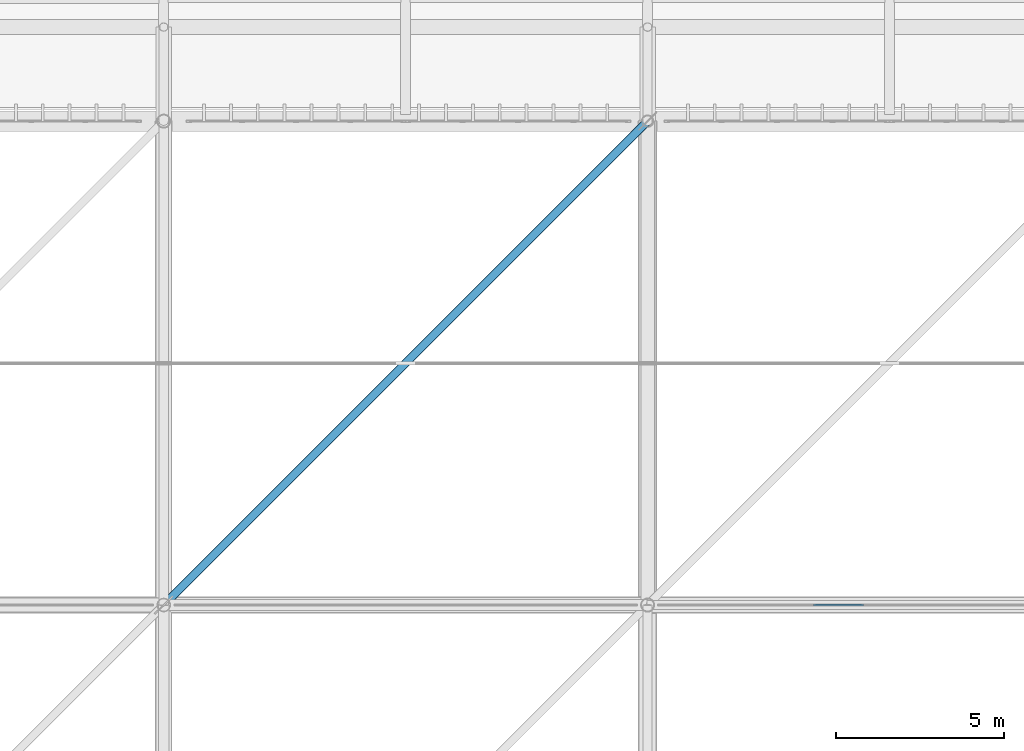
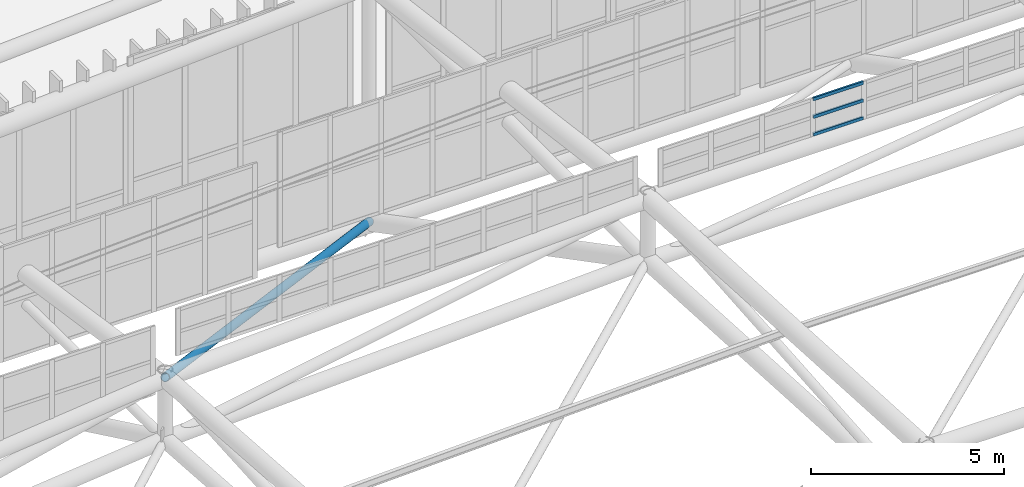
# One storey, part 246 of 397: 4 members, 1 element without a shape of its own.
"""IFC4 building model written with IfcOpenShell, lengths in metres."""

import ifcopenshell
import ifcopenshell.guid

model = None  # the IFC model being written
_history = None  # IfcOwnerHistory: only IFC2X3 demands one
_inside = {}  # id of a spatial element -> (the spatial element, [elements in it])
_under = {}  # id of a project, library or spatial element -> (it, [spatial elements below it])
_declared = {}  # id of a project -> (the project, [libraries it declares])
_typed = {}  # id of a type object -> (the type object, [elements of that type])
_made_of = {}  # id of a material, layer set ... -> (it, [elements and type objects made of it])


def new_model(schema):
    """Start an empty IFC model of exactly this schema.

    Asked for "IFC4X3", IfcOpenShell would pick the latest addendum, in which some entities
    have other attributes; the version numbers below select the first issue.
    IFC2X3 requires an IfcOwnerHistory on every rooted entity: one is made here for all.
    """
    global model, _history
    if schema == "IFC4X3":
        model = ifcopenshell.file(schema_version=(4, 3, 0, 0))
    else:
        model = ifcopenshell.file(schema=schema)
    _inside.clear()
    _under.clear()
    _declared.clear()
    _typed.clear()
    _made_of.clear()
    _history = None
    if model.schema == "IFC2X3":
        org = make("IfcOrganization", Name="unknown")
        user = make(
            "IfcPersonAndOrganization",
            ThePerson=make("IfcPerson", FamilyName="unknown"),
            TheOrganization=org,
        )
        app = make(
            "IfcApplication",
            ApplicationDeveloper=org,
            Version="unknown",
            ApplicationFullName="unknown",
            ApplicationIdentifier="unknown",
        )
        _history = make(
            "IfcOwnerHistory",
            OwningUser=user,
            OwningApplication=app,
            ChangeAction="ADDED",
            CreationDate=0,
        )
    return model


def make(cls, **values):
    """One entity of the class cls with the attributes given. An attribute that is None is left unset."""
    return model.create_entity(
        cls, **{name: value for name, value in values.items() if value is not None}
    )


def rooted(cls, **values):
    """An entity with a GlobalId (a new one), such as an element, a storey or a relation."""
    return make(cls, GlobalId=ifcopenshell.guid.new(), OwnerHistory=_history, **values)


def si_unit(unit_type, name, prefix=None):
    """IfcSIUnit, for example si_unit("LENGTHUNIT", "METRE", prefix="MILLI")."""
    return make("IfcSIUnit", UnitType=unit_type, Prefix=prefix, Name=name)


def assignment(units):
    """IfcUnitAssignment: the units of a project."""
    return None if units is None else make("IfcUnitAssignment", Units=units)


def point(xyz):
    """IfcCartesianPoint."""
    return None if xyz is None else make("IfcCartesianPoint", Coordinates=xyz)


def direction(xyz):
    """IfcDirection."""
    return None if xyz is None else make("IfcDirection", DirectionRatios=xyz)


def frame(location, z_axis=None, x_axis=None):
    """IfcAxis2Placement3D, a coordinate frame: its origin and axes. An axis left out is left unset."""
    return make(
        "IfcAxis2Placement3D",
        Location=point(location),
        Axis=direction(z_axis),
        RefDirection=direction(x_axis),
    )


def frame_2d(location, x_axis=None):
    """IfcAxis2Placement2D, a coordinate frame in the plane: its origin and x axis."""
    return make(
        "IfcAxis2Placement2D", Location=point(location), RefDirection=direction(x_axis)
    )


def origin():
    """The frame at (0, 0, 0) with its axes left unset."""
    return frame((0.0, 0.0, 0.0))


def origin_2d():
    """The frame at (0, 0) in the plane with its x axis left unset."""
    return frame_2d((0.0, 0.0))


def place(relative_to, where):
    """IfcLocalPlacement: puts the frame where relative to a parent placement (None: the world)."""
    return make(
        "IfcLocalPlacement", PlacementRelTo=relative_to, RelativePlacement=where
    )


def context(
    kind, dimensions, precision=None, world=None, true_north=None, identifier=None
):
    """IfcGeometricRepresentationContext, for example the 3D "Model" context."""
    return make(
        "IfcGeometricRepresentationContext",
        ContextIdentifier=identifier,
        ContextType=kind,
        CoordinateSpaceDimension=dimensions,
        Precision=precision,
        WorldCoordinateSystem=world,
        TrueNorth=true_north,
    )


def subcontext(parent, identifier, kind, view, scale=None):
    """IfcGeometricRepresentationSubContext, for example "Body" below "Model"."""
    return make(
        "IfcGeometricRepresentationSubContext",
        ContextIdentifier=identifier,
        ContextType=kind,
        ParentContext=parent,
        TargetScale=scale,
        TargetView=view,
    )


def project(units=None, contexts=None):
    """IfcProject with its units and contexts."""
    return rooted(
        "IfcProject",
        Name="project",
        RepresentationContexts=contexts,
        UnitsInContext=assignment(units),
    )


def spatial(cls, under=None, at=None, **own):
    """A site, building, storey or space (cls), placed at a placement, below another one or the project."""
    s = rooted(cls, ObjectPlacement=at, **own)
    if under is not None:
        _under.setdefault(under.id(), (under, []))[1].append(s)
    return s


def profile(cls, at=None, kind="AREA", **sizes):
    """A parametric profile (cls). Its sizes go by their IFC names, for example OverallWidth=200.0."""
    return make(cls, ProfileType=kind, Position=at, **sizes)


def hollow_rectangle(**sizes):
    """IfcRectangleHollowProfileDef."""
    return profile("IfcRectangleHollowProfileDef", **sizes)


def hollow_circle(**sizes):
    """IfcCircleHollowProfileDef."""
    return profile("IfcCircleHollowProfileDef", **sizes)


def extrude(swept, where, along, depth):
    """IfcExtrudedAreaSolid: the profile swept, set in the frame where, extruded along a direction by depth."""
    return make(
        "IfcExtrudedAreaSolid",
        SweptArea=swept,
        Position=where,
        ExtrudedDirection=direction(along),
        Depth=depth,
    )


def shape(context_of_items, identifier, shape_type, items):
    """IfcShapeRepresentation: the items that make up one representation, for example the "Body"."""
    return make(
        "IfcShapeRepresentation",
        ContextOfItems=context_of_items,
        RepresentationIdentifier=identifier,
        RepresentationType=shape_type,
        Items=items,
    )


def material(Name=None, Category=None):
    """IfcMaterial."""
    return make("IfcMaterial", Name=Name, Category=Category)


def material_profile(
    of_material, cross_section, Name=None, Category=None, Priority=None
):
    """IfcMaterialProfile: a cross section and its material."""
    return make(
        "IfcMaterialProfile",
        Name=Name,
        Material=of_material,
        Profile=cross_section,
        Priority=Priority,
        Category=Category,
    )


def profile_set(profiles, Name=None, composite=None):
    """IfcMaterialProfileSet."""
    return make(
        "IfcMaterialProfileSet",
        Name=Name,
        MaterialProfiles=profiles,
        CompositeProfile=composite,
    )


def made_of(thing, what):
    """Note that an element or type object is made of a material, layer set ...; save() writes the relation."""
    if what is not None:
        _made_of.setdefault(what.id(), (what, []))[1].append(thing)
    return thing


def type_object(cls, material=None, **own):
    """A type object (cls), such as IfcWallType, which elements share."""
    return made_of(rooted(cls, **own), material)


def element(
    cls,
    number,
    at=None,
    inside=None,
    cuts=None,
    type_object=None,
    material=None,
    context=None,
    identifier="Body",
    shape_type=None,
    held_by="IfcProductDefinitionShape",
    body=None,
    shapes=None,
    **own,
):
    """One element of the class cls, such as IfcWall. Its Tag is "e" and its number.

    at: its placement. inside: the storey or other place that contains it. cuts: it is an
    opening in that element (IfcRelVoidsElement). A single representation is given by context,
    identifier, shape_type and body (its items); several are given by shapes. held_by: the class
    of the entity that holds the representations. save() writes the other relations.
    """
    e = rooted(cls, Tag="e%d" % number, ObjectPlacement=at, **own)
    if body is not None:
        shapes = [shape(context, identifier, shape_type, body)]
    if shapes is not None:
        e.Representation = make(held_by, Representations=shapes)
    if inside is not None:
        _inside.setdefault(inside.id(), (inside, []))[1].append(e)
    if cuts is not None:
        rooted(
            "IfcRelVoidsElement", RelatingBuildingElement=cuts, RelatedOpeningElement=e
        )
    if type_object is not None:
        _typed.setdefault(type_object.id(), (type_object, []))[1].append(e)
    return made_of(e, material)


def aggregate(whole, parts):
    """IfcRelAggregates: a whole, such as a stair, and the parts it consists of."""
    return rooted("IfcRelAggregates", RelatingObject=whole, RelatedObjects=parts)


def save(model, path):
    """Write the relations noted so far, then the file.

    IfcRelAggregates (storeys below a building ...), IfcRelContainedInSpatialStructure (elements
    in a storey), IfcRelDefinesByType, IfcRelAssociatesMaterial and IfcRelDeclares: one each for
    every whole, place, type object, material and project.
    """
    for whole, parts in _under.values():
        aggregate(whole, parts)
    for where, things in _inside.values():
        rooted(
            "IfcRelContainedInSpatialStructure",
            RelatedElements=things,
            RelatingStructure=where,
        )
    for kind, things in _typed.values():
        rooted("IfcRelDefinesByType", RelatedObjects=things, RelatingType=kind)
    for what, things in _made_of.values():
        rooted("IfcRelAssociatesMaterial", RelatedObjects=things, RelatingMaterial=what)
    for by, libraries in _declared.values():
        rooted("IfcRelDeclares", RelatingContext=by, RelatedDefinitions=libraries)
    model.write(path)


model = new_model("IFC4")

# Units and contexts
model_context = context("Model", 3, precision=1e-05, world=origin(), true_north=direction((0.0, 1.0)))
body_context = subcontext(model_context, "Body", "Model", "MODEL_VIEW")
ifc_project = project(units=[si_unit("LENGTHUNIT", "METRE"), si_unit("AREAUNIT", "SQUARE_METRE"), si_unit("VOLUMEUNIT", "CUBIC_METRE"), si_unit("PLANEANGLEUNIT", "RADIAN"), si_unit("MASSUNIT", "GRAM", prefix="KILO")], contexts=[model_context])

# Site, building, storey
site_placement = place(None, origin())
site = spatial("IfcSite", under=ifc_project, at=site_placement, CompositionType="ELEMENT")
building_placement = place(site_placement, origin())
building = spatial("IfcBuilding", under=site, at=building_placement, Name="Qandorah Velis Arena", CompositionType="ELEMENT")
storey_placement = place(building_placement, frame((0.0, 0.0, 27.5)))
storey = spatial("IfcBuildingStorey", under=building, at=storey_placement, Name="RF", CompositionType="ELEMENT", Elevation=27.5)

# Curtain wall, members
ifc_material_1 = material(Name="Solar-control low-E double glazing", Category="glass")
curtain_wall_type = type_object("IfcCurtainWallType", Name="ARC-CW-SYS23", PredefinedType="USERDEFINED", material=ifc_material_1)
curtain_wall_placement = place(storey_placement, origin())
curtain_wall = element("IfcCurtainWall", 1, at=curtain_wall_placement, inside=storey, type_object=curtain_wall_type, Name="Unitised curtain wall OCULUS-4-3", ObjectType="UNITISED CURTAIN WALL", PredefinedType="USERDEFINED")
ifc_material_2 = material(Name="Champagne-bronze anodized aluminium 6063-T6", Category="aluminium")
ifc_material_profile_1 = material_profile(ifc_material_2, hollow_rectangle(XDim=0.054931640625, YDim=0.10009765625, WallThickness=0.0029296875, at=origin_2d()), Name="ALU TRANSOM 55x100")
ifc_profile_set_1 = profile_set([ifc_material_profile_1], Name="Champagne-bronze anodized aluminium 6063-T6")
member_type_1 = type_object("IfcMemberType", Name="ARC-CWT-100", PredefinedType="USERDEFINED", material=ifc_profile_set_1)
member_1_placement = place(storey_placement, frame((62.5322265625, 100.800048828125, 9.85888671875), z_axis=(1.0, 0.0, 0.0), x_axis=(0.0, 1.0, 0.0)))
member_1 = element("IfcMember", 2, at=member_1_placement, type_object=member_type_1, Name="CW23 transom 4.1", ObjectType="TRANSOM", PredefinedType="USERDEFINED", context=body_context, shape_type="SweptSolid", body=[
    extrude(hollow_rectangle(XDim=0.054931640625, YDim=0.10009765625, WallThickness=0.0029296875, at=origin_2d()), origin(), (0.0, 0.0, 1.0), 1.4912109375),
])
member_2_placement = place(storey_placement, frame((62.5322265625, 100.800048828125, 10.415771484375), z_axis=(1.0, 0.0, 0.0), x_axis=(0.0, 1.0, 0.0)))
member_2 = element("IfcMember", 3, at=member_2_placement, type_object=member_type_1, Name="CW23 transom 4.2", ObjectType="TRANSOM", PredefinedType="USERDEFINED", context=body_context, shape_type="SweptSolid", body=[
    extrude(hollow_rectangle(XDim=0.054931640625, YDim=0.10009765625, WallThickness=0.0029296875, at=origin_2d()), origin(), (0.0, 0.0, 1.0), 1.4912109375),
])
member_3_placement = place(storey_placement, frame((62.5322265625, 100.800048828125, 10.972412109375), z_axis=(1.0, 0.0, 0.0), x_axis=(0.0, 1.0, 0.0)))
member_3 = element("IfcMember", 4, at=member_3_placement, type_object=member_type_1, Name="CW23 transom 4.3", ObjectType="TRANSOM", PredefinedType="USERDEFINED", context=body_context, shape_type="SweptSolid", body=[
    extrude(hollow_rectangle(XDim=0.054931640625, YDim=0.10009765625, WallThickness=0.0029296875, at=origin_2d()), origin(), (0.0, 0.0, 1.0), 1.4912109375),
])
aggregate(curtain_wall, [member_1, member_2, member_3])

# Member
ifc_material_3 = material(Name="Steel S355", Category="steel")
ifc_material_profile_2 = material_profile(ifc_material_3, hollow_circle(Radius=0.122314453125, WallThickness=0.012451171875, at=origin_2d()), Name="CHS 244.5x12.5")
ifc_profile_set_2 = profile_set([ifc_material_profile_2], Name="Steel S355")
member_type_2 = type_object("IfcMemberType", Name="STR-SFD-CHS244X12", PredefinedType="STRUT", material=ifc_profile_set_2)
member_4_placement = place(storey_placement, frame((57.60009765625, 115.199951171875, 0.10009765625), z_axis=(-0.648411939766, -0.648400946566, 0.398921256468), x_axis=(0.707100786953, -0.707112775369, 0.0)))
element("IfcMember", 5, at=member_4_placement, inside=storey, type_object=member_type_2, Name="Space frame roof spatial diagonal 2.6", PredefinedType="STRUT", context=body_context, shape_type="SweptSolid", body=[
    extrude(hollow_circle(Radius=0.122314453125, WallThickness=0.012451171875, at=origin_2d()), origin(), (0.0, 0.0, 1.0), 22.208251953125),
])

save(model, "model.ifc")
